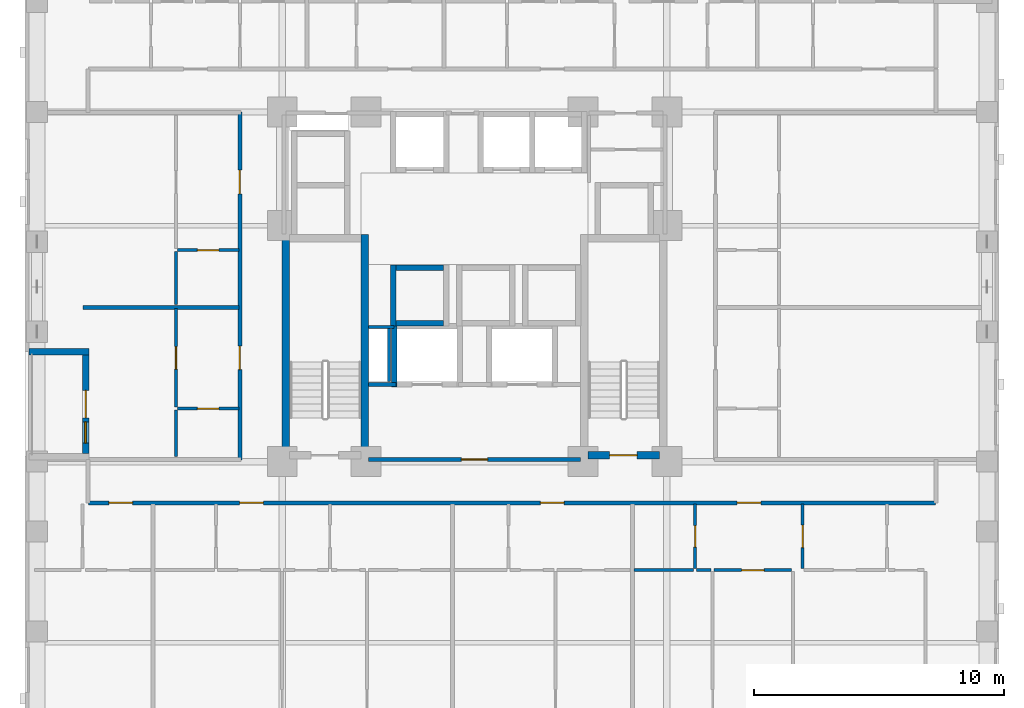
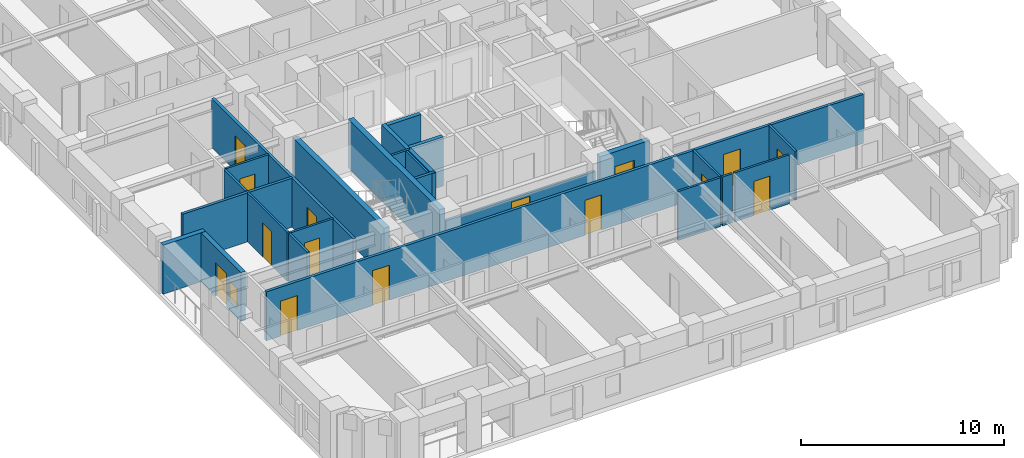
# One storey, part 4 of 14: 26 walls, 15 doors, 1 window, 16 openings.
"""IFC4 building model written with IfcOpenShell, lengths in metres."""

from ifc_helpers import new_model, si_unit, derived_unit, direction, frame, frame_2d, origin, place, context, subcontext, project, spatial, rectangle, extrude, material, layer, layer_set, type_object, element, fill, save


model = new_model("IFC4")

# Units and contexts
model_context = context("Model", 3, precision=1e-05, world=origin(), true_north=direction((0.0, 1.0)))
body_context = subcontext(model_context, "Body", "Model", "MODEL_VIEW")
ifc_project = project(units=[si_unit("LENGTHUNIT", "METRE"), si_unit("AREAUNIT", "SQUARE_METRE"), si_unit("VOLUMEUNIT", "CUBIC_METRE"), si_unit("PLANEANGLEUNIT", "RADIAN"), si_unit("MASSUNIT", "GRAM", prefix="KILO"), derived_unit("THERMALTRANSMITTANCEUNIT", [(si_unit("MASSUNIT", "GRAM", prefix="KILO"), 1), (si_unit("TIMEUNIT", "SECOND"), -3), (si_unit("THERMODYNAMICTEMPERATUREUNIT", "KELVIN"), -1)])], contexts=[model_context])

# Site, building, storey
site_placement = place(None, origin())
site = spatial("IfcSite", under=ifc_project, at=site_placement, CompositionType="ELEMENT")
building_placement = place(site_placement, origin())
building = spatial("IfcBuilding", under=site, at=building_placement, Name="Korrvale Station Residences", CompositionType="ELEMENT")
storey_placement = place(building_placement, frame((0.0, 0.0, 57.800048828125)))
storey = spatial("IfcBuildingStorey", under=building, at=storey_placement, Name="L15", CompositionType="ELEMENT", Elevation=57.800048828125)

# Walls
ifc_material_1 = material(Name="Concrete C70/85", Category="concrete")
ifc_layer_1 = layer(ifc_material_1, 0.300048828125, Name="Concrete C70/85")
ifc_layer_set_1 = layer_set([ifc_layer_1], Name="Concrete C70/85")
wall_type_1 = type_object("IfcWallType", Name="WAL-CORE-300-C70", PredefinedType="SHEAR", material=ifc_layer_set_1)
for number, where, z_axis, x_axis, name in (
    (1, (17.949951171875, 15.10009765625, 0.0), (0.0, 0.0, 1.0), (0.0, 1.0, 0.0), "L15 ST-1 Core Shear Wall West"),
    (2, (21.10009765625, 15.10009765625, 0.0), (0.0, 0.0, 1.0), (0.0, 1.0, 0.0), "L15 ST-1 Core Shear Wall East"),
):
    element("IfcWall", number, at=place(storey_placement, frame(where, z_axis=z_axis, x_axis=x_axis)), inside=storey, type_object=wall_type_1, Name=name, PredefinedType="SHEAR", context=body_context, shape_type="SweptSolid", body=[
        extrude(rectangle(XDim=9.0, YDim=0.300048828125, at=frame_2d((4.5, 0.0))), origin(), (0.0, 0.0, 1.0), 2.93994140625),
    ])

# Wall, opening, door
wall_1_placement = place(storey_placement, frame((30.050048828125, 15.25, 0.0), z_axis=(0.0, 0.0, 1.0), x_axis=(1.0, 0.0, 0.0)))
wall_1 = element("IfcWall", 3, at=wall_1_placement, inside=storey, type_object=wall_type_1, Name="L15 ST-2 Core Shear Wall South", PredefinedType="SHEAR", context=body_context, shape_type="SweptSolid", body=[
    extrude(rectangle(XDim=2.849853515625, YDim=0.300048828125, at=frame_2d((1.4248046875, 0.0))), origin(), (0.0, 0.0, 1.0), 2.93994140625),
])
opening_1_placement = place(wall_1_placement, frame((0.860107421875, 0.0, 0.0)))
opening_1 = element("IfcOpeningElement", 4, at=opening_1_placement, cuts=wall_1, Name="Opening SD-1100", PredefinedType="OPENING", context=body_context, shape_type="SweptSolid", body=[
    extrude(rectangle(XDim=1.10009765625, YDim=2.050048828125, at=frame_2d((0.550048828125, 1.02490234375))), frame((0.0, 0.16015625, 0.0), z_axis=(0.0, -1.0, 0.0), x_axis=(1.0, 0.0, 0.0)), (0.0, 0.0, 1.0), 0.320068359375),
])
ifc_material_2 = material(Name="Hollow-metal fire-rated stair door with closer", Category="steel")
door_type_1 = type_object("IfcDoorType", Name="DR-STAIR-1100", OperationType="NOTDEFINED", PredefinedType="DOOR", material=ifc_material_2)
door_1_placement = place(opening_1_placement, origin())
door_1 = element("IfcDoor", 5, at=door_1_placement, inside=storey, type_object=door_type_1, Name="L15 ST-2 Exit Stair Door", OperationType="SINGLE_SWING_RIGHT", OverallHeight=2.050048828125, OverallWidth=1.10009765625, PredefinedType="DOOR", context=body_context, shape_type="SweptSolid", body=[
    extrude(rectangle(XDim=1.10009765625, YDim=2.050048828125, at=frame_2d((0.550048828125, 1.02490234375))), frame((0.0, 0.02490234375, 0.0), z_axis=(0.0, -1.0, 0.0), x_axis=(1.0, 0.0, 0.0)), (0.0, 0.0, 1.0), 0.050048828125),
])
fill(opening_1, door_1)

# Wall, openings, door, window
ifc_material_3 = material(Name="Precast concrete C45/55", Category="concrete")
ifc_layer_2 = layer(ifc_material_3, 0.260009765625, Name="Precast concrete C45/55")
ifc_layer_set_2 = layer_set([ifc_layer_2], Name="Precast concrete C45/55")
wall_type_2 = type_object("IfcWallType", Name="WAL-EXT-LOG260", PredefinedType="SOLIDWALL", material=ifc_layer_set_2)
wall_2_placement = place(storey_placement, frame((9.929931640625, 15.333984375, 0.0), z_axis=(0.0, 0.0, 1.0), x_axis=(0.0, 1.0, 0.0)))
wall_2 = element("IfcWall", 6, at=wall_2_placement, inside=storey, type_object=wall_type_2, Name="L15 Recessed Loggia Wall BAL-L15-W1-B", PredefinedType="SOLIDWALL", context=body_context, shape_type="SweptSolid", body=[
    extrude(rectangle(XDim=3.93212890625, YDim=0.260009765625, at=frame_2d((1.966064453125, 0.0))), origin(), (0.0, 0.0, 1.0), 2.93994140625),
])
opening_2_placement = place(wall_2_placement, frame((1.416015625, 0.0, 0.0)))
opening_2 = element("IfcOpeningElement", 7, at=opening_2_placement, cuts=wall_2, Name="Opening BD-01", PredefinedType="OPENING", context=body_context, shape_type="SweptSolid", body=[
    extrude(rectangle(XDim=1.10009765625, YDim=2.0, at=frame_2d((0.550048828125, 1.0))), frame((0.0, 0.14013671875, 0.0), z_axis=(0.0, -1.0, 0.0), x_axis=(1.0, 0.0, 0.0)), (0.0, 0.0, 1.0), 0.280029296875),
])
opening_3_placement = place(wall_2_placement, frame((0.406005859375, 0.0, 0.550048828125)))
opening_3 = element("IfcOpeningElement", 8, at=opening_3_placement, cuts=wall_2, Name="Opening W-11", PredefinedType="OPENING", context=body_context, shape_type="SweptSolid", body=[
    extrude(rectangle(XDim=0.85009765625, YDim=1.199951171875, at=frame_2d((0.425048828125, 0.60009765625))), frame((0.0, 0.14013671875, 0.0), z_axis=(0.0, -1.0, 0.0), x_axis=(1.0, 0.0, 0.0)), (0.0, 0.0, 1.0), 0.280029296875),
])
ifc_material_4 = material(Name="Exterior thermally broken aluminium glazed balcony door", Category="aluminium")
door_type_2 = type_object("IfcDoorType", Name="DR-EXT-BAL", OperationType="NOTDEFINED", PredefinedType="DOOR", material=ifc_material_4)
door_2_placement = place(opening_2_placement, origin())
door_2 = element("IfcDoor", 9, at=door_2_placement, inside=storey, type_object=door_type_2, Name="L15 Loggia Balcony Door BAL-L15-W1", OperationType="SINGLE_SWING_LEFT", OverallHeight=2.0, OverallWidth=1.10009765625, PredefinedType="DOOR", context=body_context, shape_type="SweptSolid", body=[
    extrude(rectangle(XDim=1.10009765625, YDim=2.0, at=frame_2d((0.550048828125, 1.0))), frame((0.0, 0.02490234375, 0.0), z_axis=(0.0, -1.0, 0.0), x_axis=(1.0, 0.0, 0.0)), (0.0, 0.0, 1.0), 0.050048828125),
])
fill(opening_2, door_2)
ifc_material_5 = material(Name="Thermally broken aluminium frame with triple low-e glazing", Category="aluminium")
window_type = type_object("IfcWindowType", Name="WIN-W11", PartitioningType="SINGLE_PANEL", PredefinedType="WINDOW", material=ifc_material_5)
window_placement = place(opening_3_placement, origin())
window = element("IfcWindow", 10, at=window_placement, inside=storey, type_object=window_type, Name="L15 Punched Window 24", OverallHeight=1.199951171875, OverallWidth=0.85009765625, PartitioningType="SINGLE_PANEL", PredefinedType="WINDOW", context=body_context, shape_type="SweptSolid", body=[
    extrude(rectangle(XDim=0.85009765625, YDim=1.199951171875, at=frame_2d((0.425048828125, 0.60009765625))), frame((0.0, 0.030029296875, 0.0), z_axis=(0.0, -1.0, 0.0), x_axis=(1.0, 0.0, 0.0)), (0.0, 0.0, 1.0), 0.06005859375),
])
fill(opening_3, window)

# Walls
wall_3_placement = place(storey_placement, frame((10.06005859375, 19.39990234375, 0.0), z_axis=(0.0, 0.0, 1.0), x_axis=(-1.0, 0.0, 0.0)))
element("IfcWall", 11, at=wall_3_placement, inside=storey, type_object=wall_type_2, Name="L15 Recessed Loggia Wall BAL-L15-W1-R", PredefinedType="SOLIDWALL", context=body_context, shape_type="SweptSolid", body=[
    extrude(rectangle(XDim=2.400146484375, YDim=0.260009765625, at=frame_2d((1.2001953125, 0.0))), origin(), (0.0, 0.0, 1.0), 2.93994140625),
])
ifc_material_6 = material(Name="Acoustic steel-stud gypsum board partition", Category="steel")
ifc_layer_3 = layer(ifc_material_6, 0.1201171875, Name="Acoustic steel-stud gypsum board partition")
ifc_layer_set_3 = layer_set([ifc_layer_3], Name="Acoustic steel-stud gypsum board partition")
wall_type_3 = type_object("IfcWallType", Name="WAL-PART-125", PredefinedType="PARTITIONING", material=ifc_layer_set_3)
wall_4_placement = place(storey_placement, frame((22.080078125, 18.199951171875, 0.0), z_axis=(0.0, 0.0, 1.0), x_axis=(0.0, 1.0, 0.0)))
element("IfcWall", 12, at=wall_4_placement, inside=storey, type_object=wall_type_3, Name="L15 Core Partition CW-RSWT", PredefinedType="PARTITIONING", context=body_context, shape_type="SweptSolid", body=[
    extrude(rectangle(XDim=2.1201171875, YDim=0.1201171875, at=frame_2d((1.06005859375, 0.0))), origin(), (0.0, 0.0, 1.0), 2.93994140625),
])
wall_5_placement = place(storey_placement, frame((22.280029296875, 20.3798828125, 0.0), z_axis=(0.0, 0.0, 1.0), x_axis=(-1.0, 0.0, 0.0)))
element("IfcWall", 13, at=wall_5_placement, inside=storey, type_object=wall_type_3, Name="L15 Core Partition CW-RSWT-N", PredefinedType="PARTITIONING", context=body_context, shape_type="SweptSolid", body=[
    extrude(rectangle(XDim=1.02001953125, YDim=0.1201171875, at=frame_2d((0.510009765625, 0.0))), origin(), (0.0, 0.0, 1.0), 2.93994140625),
])

# Wall, opening, door
wall_6_placement = place(storey_placement, frame((34.3369140625, 10.7099609375, 0.0), z_axis=(0.0, 0.0, 1.0), x_axis=(0.0, 1.0, 0.0)))
wall_6 = element("IfcWall", 14, at=wall_6_placement, inside=storey, type_object=wall_type_3, Name="L15 Suite Partition U04-V01", PredefinedType="PARTITIONING", context=body_context, shape_type="SweptSolid", body=[
    extrude(rectangle(XDim=2.60009765625, YDim=0.1201171875, at=frame_2d((1.300048828125, 0.0))), origin(), (0.0, 0.0, 1.0), 2.93994140625),
])
opening_4_placement = place(wall_6_placement, frame((0.8701171875, 0.0, 0.0)))
opening_4 = element("IfcOpeningElement", 15, at=opening_4_placement, cuts=wall_6, Name="Opening DB-860", PredefinedType="OPENING", context=body_context, shape_type="SweptSolid", body=[
    extrude(rectangle(XDim=0.860107421875, YDim=2.050048828125, at=frame_2d((0.43017578125, 1.02490234375))), frame((0.0, 0.070068359375, 0.0), z_axis=(0.0, -1.0, 0.0), x_axis=(1.0, 0.0, 0.0)), (0.0, 0.0, 1.0), 0.14013671875),
])
ifc_material_7 = material(Name="Moisture-resistant solid-core bathroom door", Category="timber")
door_type_3 = type_object("IfcDoorType", Name="DR-BATH-860", OperationType="NOTDEFINED", PredefinedType="DOOR", material=ifc_material_7)
door_3_placement = place(opening_4_placement, origin())
door_3 = element("IfcDoor", 16, at=door_3_placement, inside=storey, type_object=door_type_3, Name="L15 Studio Apartment L15-U04 Bathroom Door", OperationType="SINGLE_SWING_RIGHT", OverallHeight=2.050048828125, OverallWidth=0.860107421875, PredefinedType="DOOR", context=body_context, shape_type="SweptSolid", body=[
    extrude(rectangle(XDim=0.860107421875, YDim=2.050048828125, at=frame_2d((0.43017578125, 1.02490234375))), frame((0.0, 0.02490234375, 0.0), z_axis=(0.0, -1.0, 0.0), x_axis=(1.0, 0.0, 0.0)), (0.0, 0.0, 1.0), 0.050048828125),
])
fill(opening_4, door_3)

# Wall
wall_7_placement = place(storey_placement, frame((31.876953125, 10.64990234375, 0.0), z_axis=(0.0, 0.0, 1.0), x_axis=(1.0, 0.0, 0.0)))
element("IfcWall", 17, at=wall_7_placement, inside=storey, type_object=wall_type_3, Name="L15 Suite Partition U04-H04", PredefinedType="PARTITIONING", context=body_context, shape_type="SweptSolid", body=[
    extrude(rectangle(XDim=2.400146484375, YDim=0.1201171875, at=frame_2d((1.2001953125, 0.0))), origin(), (0.0, 0.0, 1.0), 2.93994140625),
])

# Wall, opening, door
wall_8_placement = place(storey_placement, frame((38.636962890625, 10.7099609375, 0.0), z_axis=(0.0, 0.0, 1.0), x_axis=(0.0, 1.0, 0.0)))
wall_8 = element("IfcWall", 18, at=wall_8_placement, inside=storey, type_object=wall_type_3, Name="L15 Suite Partition U04-V12", PredefinedType="PARTITIONING", context=body_context, shape_type="SweptSolid", body=[
    extrude(rectangle(XDim=2.60009765625, YDim=0.1201171875, at=frame_2d((1.300048828125, 0.0))), origin(), (0.0, 0.0, 1.0), 2.93994140625),
])
opening_5_placement = place(wall_8_placement, frame((0.85009765625, 0.0, 0.0)))
opening_5 = element("IfcOpeningElement", 19, at=opening_5_placement, cuts=wall_8, Name="Opening DI-900", PredefinedType="OPENING", context=body_context, shape_type="SweptSolid", body=[
    extrude(rectangle(XDim=0.89990234375, YDim=2.050048828125, at=frame_2d((0.449951171875, 1.02490234375))), frame((0.0, 0.070068359375, 0.0), z_axis=(0.0, -1.0, 0.0), x_axis=(1.0, 0.0, 0.0)), (0.0, 0.0, 1.0), 0.14013671875),
])
ifc_material_8 = material(Name="Painted solid-core timber interior room door", Category="wood")
door_type_4 = type_object("IfcDoorType", Name="DR-INT-900", OperationType="NOTDEFINED", PredefinedType="DOOR", material=ifc_material_8)
door_4_placement = place(opening_5_placement, origin())
door_4 = element("IfcDoor", 20, at=door_4_placement, inside=storey, type_object=door_type_4, Name="L15 Studio Apartment L15-U04 Kitchen Door", OperationType="SINGLE_SWING_LEFT", OverallHeight=2.050048828125, OverallWidth=0.89990234375, PredefinedType="DOOR", context=body_context, shape_type="SweptSolid", body=[
    extrude(rectangle(XDim=0.89990234375, YDim=2.050048828125, at=frame_2d((0.449951171875, 1.02490234375))), frame((0.0, 0.02490234375, 0.0), z_axis=(0.0, -1.0, 0.0), x_axis=(1.0, 0.0, 0.0)), (0.0, 0.0, 1.0), 0.050048828125),
])
fill(opening_5, door_4)

# Wall
wall_9_placement = place(storey_placement, frame((34.39697265625, 10.64990234375, 0.0), z_axis=(0.0, 0.0, 1.0), x_axis=(1.0, 0.0, 0.0)))
element("IfcWall", 21, at=wall_9_placement, inside=storey, type_object=wall_type_3, Name="L15 Suite Partition U04-H14", PredefinedType="PARTITIONING", context=body_context, shape_type="SweptSolid", body=[
    extrude(rectangle(XDim=0.580078125, YDim=0.1201171875, at=frame_2d((0.2900390625, 0.0))), origin(), (0.0, 0.0, 1.0), 2.93994140625),
])

# Wall, opening, door
wall_10_placement = place(storey_placement, frame((35.096923828125, 10.64990234375, 0.0), z_axis=(0.0, 0.0, 1.0), x_axis=(1.0, 0.0, 0.0)))
wall_10 = element("IfcWall", 22, at=wall_10_placement, inside=storey, type_object=wall_type_3, Name="L15 Suite Partition U04-H15", PredefinedType="PARTITIONING", context=body_context, shape_type="SweptSolid", body=[
    extrude(rectangle(XDim=3.10009765625, YDim=0.1201171875, at=frame_2d((1.550048828125, 0.0))), origin(), (0.0, 0.0, 1.0), 2.93994140625),
])
opening_6_placement = place(wall_10_placement, frame((1.10009765625, 0.0, 0.0)))
opening_6 = element("IfcOpeningElement", 23, at=opening_6_placement, cuts=wall_10, Name="Opening DI-900", PredefinedType="OPENING", context=body_context, shape_type="SweptSolid", body=[
    extrude(rectangle(XDim=0.89990234375, YDim=2.050048828125, at=frame_2d((0.449951171875, 1.02490234375))), frame((0.0, 0.070068359375, 0.0), z_axis=(0.0, -1.0, 0.0), x_axis=(1.0, 0.0, 0.0)), (0.0, 0.0, 1.0), 0.14013671875),
])
door_5_placement = place(opening_6_placement, origin())
door_5 = element("IfcDoor", 24, at=door_5_placement, inside=storey, type_object=door_type_4, Name="L15 Studio Apartment L15-U04 Kitchen Door", OperationType="SINGLE_SWING_RIGHT", OverallHeight=2.050048828125, OverallWidth=0.89990234375, PredefinedType="DOOR", context=body_context, shape_type="SweptSolid", body=[
    extrude(rectangle(XDim=0.89990234375, YDim=2.050048828125, at=frame_2d((0.449951171875, 1.02490234375))), frame((0.0, 0.02490234375, 0.0), z_axis=(0.0, -1.0, 0.0), x_axis=(1.0, 0.0, 0.0)), (0.0, 0.0, 1.0), 0.050048828125),
])
fill(opening_6, door_5)

wall_11_placement = place(storey_placement, frame((13.610107421875, 17.1201171875, 0.0), z_axis=(0.0, 0.0, 1.0), x_axis=(1.0, 0.0, 0.0)))
wall_11 = element("IfcWall", 25, at=wall_11_placement, inside=storey, type_object=wall_type_3, Name="L15 Suite Partition U09-H01", PredefinedType="PARTITIONING", context=body_context, shape_type="SweptSolid", body=[
    extrude(rectangle(XDim=2.449951171875, YDim=0.1201171875, at=frame_2d((1.22509765625, 0.0))), origin(), (0.0, 0.0, 1.0), 2.93994140625),
])
opening_7_placement = place(wall_11_placement, frame((0.794921875, 0.0, 0.0)))
opening_7 = element("IfcOpeningElement", 26, at=opening_7_placement, cuts=wall_11, Name="Opening DB-860", PredefinedType="OPENING", context=body_context, shape_type="SweptSolid", body=[
    extrude(rectangle(XDim=0.860107421875, YDim=2.050048828125, at=frame_2d((0.43017578125, 1.02490234375))), frame((0.0, 0.070068359375, 0.0), z_axis=(0.0, -1.0, 0.0), x_axis=(1.0, 0.0, 0.0)), (0.0, 0.0, 1.0), 0.14013671875),
])
door_6_placement = place(opening_7_placement, origin())
door_6 = element("IfcDoor", 27, at=door_6_placement, inside=storey, type_object=door_type_3, Name="L15 Apartment 1BR L15-U09 Bathroom Door", OperationType="SINGLE_SWING_LEFT", OverallHeight=2.050048828125, OverallWidth=0.860107421875, PredefinedType="DOOR", context=body_context, shape_type="SweptSolid", body=[
    extrude(rectangle(XDim=0.860107421875, YDim=2.050048828125, at=frame_2d((0.43017578125, 1.02490234375))), frame((0.0, 0.02490234375, 0.0), z_axis=(0.0, -1.0, 0.0), x_axis=(1.0, 0.0, 0.0)), (0.0, 0.0, 1.0), 0.050048828125),
])
fill(opening_7, door_6)

# Wall
wall_12_placement = place(storey_placement, frame((13.550048828125, 15.2099609375, 0.0), z_axis=(0.0, 0.0, 1.0), x_axis=(0.0, 1.0, 0.0)))
element("IfcWall", 28, at=wall_12_placement, inside=storey, type_object=wall_type_3, Name="L15 Suite Partition U09-V02", PredefinedType="PARTITIONING", context=body_context, shape_type="SweptSolid", body=[
    extrude(rectangle(XDim=1.85009765625, YDim=0.1201171875, at=frame_2d((0.925048828125, 0.0))), origin(), (0.0, 0.0, 1.0), 2.93994140625),
])

# Wall, opening, door
wall_13_placement = place(storey_placement, frame((13.550048828125, 17.179931640625, 0.0), z_axis=(0.0, 0.0, 1.0), x_axis=(0.0, 1.0, 0.0)))
wall_13 = element("IfcWall", 29, at=wall_13_placement, inside=storey, type_object=wall_type_3, Name="L15 Suite Partition U09-V12", PredefinedType="PARTITIONING", context=body_context, shape_type="SweptSolid", body=[
    extrude(rectangle(XDim=3.946044921875, YDim=0.1201171875, at=frame_2d((1.97314453125, 0.0))), origin(), (0.0, 0.0, 1.0), 2.93994140625),
])
opening_8_placement = place(wall_13_placement, frame((1.52294921875, 0.0, 0.0)))
opening_8 = element("IfcOpeningElement", 30, at=opening_8_placement, cuts=wall_13, Name="Opening DI-900", PredefinedType="OPENING", context=body_context, shape_type="SweptSolid", body=[
    extrude(rectangle(XDim=0.89990234375, YDim=2.050048828125, at=frame_2d((0.449951171875, 1.02490234375))), frame((0.0, 0.070068359375, 0.0), z_axis=(0.0, -1.0, 0.0), x_axis=(1.0, 0.0, 0.0)), (0.0, 0.0, 1.0), 0.14013671875),
])
door_7_placement = place(opening_8_placement, origin())
door_7 = element("IfcDoor", 31, at=door_7_placement, inside=storey, type_object=door_type_4, Name="L15 Apartment 1BR L15-U09 Kitchen Door", OperationType="SINGLE_SWING_RIGHT", OverallHeight=2.050048828125, OverallWidth=0.89990234375, PredefinedType="DOOR", context=body_context, shape_type="SweptSolid", body=[
    extrude(rectangle(XDim=0.89990234375, YDim=2.050048828125, at=frame_2d((0.449951171875, 1.02490234375))), frame((0.0, 0.02490234375, 0.0), z_axis=(0.0, -1.0, 0.0), x_axis=(1.0, 0.0, 0.0)), (0.0, 0.0, 1.0), 0.050048828125),
])
fill(opening_8, door_7)

wall_14_placement = place(storey_placement, frame((13.610107421875, 23.467041015625, 0.0), z_axis=(0.0, 0.0, 1.0), x_axis=(1.0, 0.0, 0.0)))
wall_14 = element("IfcWall", 32, at=wall_14_placement, inside=storey, type_object=wall_type_3, Name="L15 Suite Partition U10-H01", PredefinedType="PARTITIONING", context=body_context, shape_type="SweptSolid", body=[
    extrude(rectangle(XDim=2.449951171875, YDim=0.1201171875, at=frame_2d((1.22509765625, 0.0))), origin(), (0.0, 0.0, 1.0), 2.93994140625),
])
opening_9_placement = place(wall_14_placement, frame((0.794921875, 0.0, 0.0)))
opening_9 = element("IfcOpeningElement", 33, at=opening_9_placement, cuts=wall_14, Name="Opening DB-860", PredefinedType="OPENING", context=body_context, shape_type="SweptSolid", body=[
    extrude(rectangle(XDim=0.860107421875, YDim=2.050048828125, at=frame_2d((0.43017578125, 1.02490234375))), frame((0.0, 0.070068359375, 0.0), z_axis=(0.0, -1.0, 0.0), x_axis=(1.0, 0.0, 0.0)), (0.0, 0.0, 1.0), 0.14013671875),
])
door_8_placement = place(opening_9_placement, origin())
door_8 = element("IfcDoor", 34, at=door_8_placement, inside=storey, type_object=door_type_3, Name="L15 Apartment 1BR L15-U10 Bathroom Door", OperationType="SINGLE_SWING_LEFT", OverallHeight=2.050048828125, OverallWidth=0.860107421875, PredefinedType="DOOR", context=body_context, shape_type="SweptSolid", body=[
    extrude(rectangle(XDim=0.860107421875, YDim=2.050048828125, at=frame_2d((0.43017578125, 1.02490234375))), frame((0.0, 0.02490234375, 0.0), z_axis=(0.0, -1.0, 0.0), x_axis=(1.0, 0.0, 0.0)), (0.0, 0.0, 1.0), 0.050048828125),
])
fill(opening_9, door_8)

# Wall
wall_15_placement = place(storey_placement, frame((13.550048828125, 21.285888671875, 0.0), z_axis=(0.0, 0.0, 1.0), x_axis=(0.0, 1.0, 0.0)))
element("IfcWall", 35, at=wall_15_placement, inside=storey, type_object=wall_type_3, Name="L15 Suite Partition U10-V02", PredefinedType="PARTITIONING", context=body_context, shape_type="SweptSolid", body=[
    extrude(rectangle(XDim=2.12109375, YDim=0.1201171875, at=frame_2d((1.060546875, 0.0))), origin(), (0.0, 0.0, 1.0), 2.93994140625),
])

# Wall, opening, door
ifc_material_9 = material(Name="Fire-rated twin-stud gypsum and mineral wool shaftwall assembly", Category="gypsum")
ifc_layer_4 = layer(ifc_material_9, 0.159912109375, Name="Fire-rated twin-stud gypsum and mineral wool shaftwall assembly")
ifc_layer_set_4 = layer_set([ifc_layer_4], Name="Fire-rated twin-stud gypsum and mineral wool shaftwall assembly")
wall_type_4 = type_object("IfcWallType", Name="WAL-PART-200", PredefinedType="PARTITIONING", material=ifc_layer_set_4)
wall_16_placement = place(storey_placement, frame((21.25, 15.080078125, 0.0), z_axis=(0.0, 0.0, 1.0), x_axis=(1.0, 0.0, 0.0)))
wall_16 = element("IfcWall", 36, at=wall_16_placement, inside=storey, type_object=wall_type_4, Name="L15 Core Partition CW-FFL-S", PredefinedType="PARTITIONING", context=body_context, shape_type="SweptSolid", body=[
    extrude(rectangle(XDim=8.5, YDim=0.159912109375, at=frame_2d((4.25, 0.0))), origin(), (0.0, 0.0, 1.0), 2.23193359375),
])
opening_10_placement = place(wall_16_placement, frame((3.72509765625, 0.0, 0.0)))
opening_10 = element("IfcOpeningElement", 37, at=opening_10_placement, cuts=wall_16, Name="Opening FD-1050", PredefinedType="OPENING", context=body_context, shape_type="SweptSolid", body=[
    extrude(rectangle(XDim=1.050048828125, YDim=2.050048828125, at=frame_2d((0.52490234375, 1.02490234375))), frame((0.0, 0.08984375, 0.0), z_axis=(0.0, -1.0, 0.0), x_axis=(1.0, 0.0, 0.0)), (0.0, 0.0, 1.0), 0.179931640625),
])
ifc_material_10 = material(Name="Fire-rated mineral-core timber lobby door", Category="wood")
door_type_5 = type_object("IfcDoorType", Name="DR-CORE-1050", OperationType="NOTDEFINED", PredefinedType="DOOR", material=ifc_material_10)
door_9_placement = place(opening_10_placement, origin())
door_9 = element("IfcDoor", 38, at=door_9_placement, inside=storey, type_object=door_type_5, Name="L15 Firefighting Lobby Entry Door", OperationType="SINGLE_SWING_LEFT", OverallHeight=2.050048828125, OverallWidth=1.050048828125, PredefinedType="DOOR", context=body_context, shape_type="SweptSolid", body=[
    extrude(rectangle(XDim=1.050048828125, YDim=2.050048828125, at=frame_2d((0.52490234375, 1.02490234375))), frame((0.0, 0.02490234375, 0.0), z_axis=(0.0, -1.0, 0.0), x_axis=(1.0, 0.0, 0.0)), (0.0, 0.0, 1.0), 0.050048828125),
])
fill(opening_10, door_9)

# Walls
wall_17_placement = place(storey_placement, frame((21.25, 18.080078125, 0.0), z_axis=(0.0, 0.0, 1.0), x_axis=(1.0, 0.0, 0.0)))
element("IfcWall", 39, at=wall_17_placement, inside=storey, type_object=wall_type_4, Name="L15 Core Partition CW-FFL-N1", PredefinedType="PARTITIONING", context=body_context, shape_type="SweptSolid", body=[
    extrude(rectangle(XDim=1.10009765625, YDim=0.159912109375, at=frame_2d((0.550048828125, 0.0))), origin(), (0.0, 0.0, 1.0), 2.93994140625),
])
wall_18_placement = place(storey_placement, frame((9.820068359375, 21.166015625, 0.0), z_axis=(0.0, 0.0, 1.0), x_axis=(1.0, 0.0, 0.0)))
element("IfcWall", 40, at=wall_18_placement, inside=storey, type_object=wall_type_4, Name="L15 Demising Wall U09-N", PredefinedType="PARTITIONING", context=body_context, shape_type="SweptSolid", body=[
    extrude(rectangle(XDim=6.239990234375, YDim=0.159912109375, at=frame_2d((3.1201171875, 0.0))), origin(), (0.0, 0.0, 1.0), 2.93994140625),
])

# Wall, openings, doors
wall_19_placement = place(storey_placement, frame((10.050048828125, 13.35009765625, 0.0), z_axis=(0.0, 0.0, 1.0), x_axis=(1.0, 0.0, 0.0)))
wall_19 = element("IfcWall", 41, at=wall_19_placement, inside=storey, type_object=wall_type_4, Name="L15 Rated Corridor Wall S", PredefinedType="PARTITIONING", context=body_context, shape_type="SweptSolid", body=[
    extrude(rectangle(XDim=33.89990234375, YDim=0.159912109375, at=frame_2d((16.949951171875, 0.0))), origin(), (0.0, 0.0, 1.0), 2.93994140625),
])
opening_11_placement = place(wall_19_placement, frame((0.81298828125, 0.0, 0.0)))
opening_11 = element("IfcOpeningElement", 42, at=opening_11_placement, cuts=wall_19, Name="Opening UD-950", PredefinedType="OPENING", context=body_context, shape_type="SweptSolid", body=[
    extrude(rectangle(XDim=0.949951171875, YDim=2.10009765625, at=frame_2d((0.47509765625, 1.050048828125))), frame((0.0, 0.08984375, 0.0), z_axis=(0.0, -1.0, 0.0), x_axis=(1.0, 0.0, 0.0)), (0.0, 0.0, 1.0), 0.179931640625),
])
opening_12_placement = place(wall_19_placement, frame((6.0400390625, 0.0, 0.0)))
opening_12 = element("IfcOpeningElement", 43, at=opening_12_placement, cuts=wall_19, Name="Opening UD-950", PredefinedType="OPENING", context=body_context, shape_type="SweptSolid", body=[
    extrude(rectangle(XDim=0.949951171875, YDim=2.10009765625, at=frame_2d((0.47509765625, 1.050048828125))), frame((0.0, 0.08984375, 0.0), z_axis=(0.0, -1.0, 0.0), x_axis=(1.0, 0.0, 0.0)), (0.0, 0.0, 1.0), 0.179931640625),
])
opening_13_placement = place(wall_19_placement, frame((18.090087890625, 0.0, 0.0)))
opening_13 = element("IfcOpeningElement", 44, at=opening_13_placement, cuts=wall_19, Name="Opening UD-950", PredefinedType="OPENING", context=body_context, shape_type="SweptSolid", body=[
    extrude(rectangle(XDim=0.949951171875, YDim=2.10009765625, at=frame_2d((0.47509765625, 1.050048828125))), frame((0.0, 0.08984375, 0.0), z_axis=(0.0, -1.0, 0.0), x_axis=(1.0, 0.0, 0.0)), (0.0, 0.0, 1.0), 0.179931640625),
])
opening_14_placement = place(wall_19_placement, frame((25.9619140625, 0.0, 0.0)))
opening_14 = element("IfcOpeningElement", 45, at=opening_14_placement, cuts=wall_19, Name="Opening UD-950", PredefinedType="OPENING", context=body_context, shape_type="SweptSolid", body=[
    extrude(rectangle(XDim=0.949951171875, YDim=2.10009765625, at=frame_2d((0.47509765625, 1.050048828125))), frame((0.0, 0.08984375, 0.0), z_axis=(0.0, -1.0, 0.0), x_axis=(1.0, 0.0, 0.0)), (0.0, 0.0, 1.0), 0.179931640625),
])
ifc_material_11 = material(Name="Solid-core acoustic oak apartment entrance door", Category="timber")
door_type_6 = type_object("IfcDoorType", Name="DR-UNIT-950", OperationType="NOTDEFINED", PredefinedType="DOOR", material=ifc_material_11)
door_10_placement = place(opening_11_placement, origin())
door_10 = element("IfcDoor", 46, at=door_10_placement, inside=storey, type_object=door_type_6, Name="L15 Apartment L15-U01 Entrance Door", OperationType="SINGLE_SWING_LEFT", OverallHeight=2.10009765625, OverallWidth=0.949951171875, PredefinedType="DOOR", context=body_context, shape_type="SweptSolid", body=[
    extrude(rectangle(XDim=0.949951171875, YDim=2.10009765625, at=frame_2d((0.47509765625, 1.050048828125))), frame((0.0, 0.02490234375, 0.0), z_axis=(0.0, -1.0, 0.0), x_axis=(1.0, 0.0, 0.0)), (0.0, 0.0, 1.0), 0.050048828125),
])
fill(opening_11, door_10)
door_11_placement = place(opening_12_placement, origin())
door_11 = element("IfcDoor", 47, at=door_11_placement, inside=storey, type_object=door_type_6, Name="L15 Apartment L15-U02 Entrance Door", OperationType="SINGLE_SWING_RIGHT", OverallHeight=2.10009765625, OverallWidth=0.949951171875, PredefinedType="DOOR", context=body_context, shape_type="SweptSolid", body=[
    extrude(rectangle(XDim=0.949951171875, YDim=2.10009765625, at=frame_2d((0.47509765625, 1.050048828125))), frame((0.0, 0.02490234375, 0.0), z_axis=(0.0, -1.0, 0.0), x_axis=(1.0, 0.0, 0.0)), (0.0, 0.0, 1.0), 0.050048828125),
])
fill(opening_12, door_11)
door_12_placement = place(opening_13_placement, origin())
door_12 = element("IfcDoor", 48, at=door_12_placement, inside=storey, type_object=door_type_6, Name="L15 Apartment L15-U03 Entrance Door", OperationType="SINGLE_SWING_LEFT", OverallHeight=2.10009765625, OverallWidth=0.949951171875, PredefinedType="DOOR", context=body_context, shape_type="SweptSolid", body=[
    extrude(rectangle(XDim=0.949951171875, YDim=2.10009765625, at=frame_2d((0.47509765625, 1.050048828125))), frame((0.0, 0.02490234375, 0.0), z_axis=(0.0, -1.0, 0.0), x_axis=(1.0, 0.0, 0.0)), (0.0, 0.0, 1.0), 0.050048828125),
])
fill(opening_13, door_12)
door_13_placement = place(opening_14_placement, origin())
door_13 = element("IfcDoor", 49, at=door_13_placement, inside=storey, type_object=door_type_6, Name="L15 Apartment L15-U04 Entrance Door", OperationType="SINGLE_SWING_RIGHT", OverallHeight=2.10009765625, OverallWidth=0.949951171875, PredefinedType="DOOR", context=body_context, shape_type="SweptSolid", body=[
    extrude(rectangle(XDim=0.949951171875, YDim=2.10009765625, at=frame_2d((0.47509765625, 1.050048828125))), frame((0.0, 0.02490234375, 0.0), z_axis=(0.0, -1.0, 0.0), x_axis=(1.0, 0.0, 0.0)), (0.0, 0.0, 1.0), 0.050048828125),
])
fill(opening_14, door_13)

wall_20_placement = place(storey_placement, frame((16.10009765625, 15.070068359375, 0.0), z_axis=(0.0, 0.0, 1.0), x_axis=(0.0, 1.0, 0.0)))
wall_20 = element("IfcWall", 50, at=wall_20_placement, inside=storey, type_object=wall_type_4, Name="L15 Rated Corridor Wall W", PredefinedType="PARTITIONING", context=body_context, shape_type="SweptSolid", body=[
    extrude(rectangle(XDim=13.929931640625, YDim=0.159912109375, at=frame_2d((6.96484375, 0.0))), origin(), (0.0, 0.0, 1.0), 2.93994140625),
])
opening_15_placement = place(wall_20_placement, frame((3.60791015625, 0.0, 0.0)))
opening_15 = element("IfcOpeningElement", 51, at=opening_15_placement, cuts=wall_20, Name="Opening UD-950", PredefinedType="OPENING", context=body_context, shape_type="SweptSolid", body=[
    extrude(rectangle(XDim=0.949951171875, YDim=2.10009765625, at=frame_2d((0.47509765625, 1.050048828125))), frame((0.0, 0.08984375, 0.0), z_axis=(0.0, -1.0, 0.0), x_axis=(1.0, 0.0, 0.0)), (0.0, 0.0, 1.0), 0.179931640625),
])
opening_16_placement = place(wall_20_placement, frame((10.64892578125, 0.0, 0.0)))
opening_16 = element("IfcOpeningElement", 52, at=opening_16_placement, cuts=wall_20, Name="Opening UD-950", PredefinedType="OPENING", context=body_context, shape_type="SweptSolid", body=[
    extrude(rectangle(XDim=0.949951171875, YDim=2.10009765625, at=frame_2d((0.47509765625, 1.050048828125))), frame((0.0, 0.08984375, 0.0), z_axis=(0.0, -1.0, 0.0), x_axis=(1.0, 0.0, 0.0)), (0.0, 0.0, 1.0), 0.179931640625),
])
door_14_placement = place(opening_15_placement, origin())
door_14 = element("IfcDoor", 53, at=door_14_placement, inside=storey, type_object=door_type_6, Name="L15 Apartment L15-U09 Entrance Door", OperationType="SINGLE_SWING_LEFT", OverallHeight=2.10009765625, OverallWidth=0.949951171875, PredefinedType="DOOR", context=body_context, shape_type="SweptSolid", body=[
    extrude(rectangle(XDim=0.949951171875, YDim=2.10009765625, at=frame_2d((0.47509765625, 1.050048828125))), frame((0.0, 0.02490234375, 0.0), z_axis=(0.0, -1.0, 0.0), x_axis=(1.0, 0.0, 0.0)), (0.0, 0.0, 1.0), 0.050048828125),
])
fill(opening_15, door_14)
door_15_placement = place(opening_16_placement, origin())
door_15 = element("IfcDoor", 54, at=door_15_placement, inside=storey, type_object=door_type_6, Name="L15 Apartment L15-U10 Entrance Door", OperationType="SINGLE_SWING_RIGHT", OverallHeight=2.10009765625, OverallWidth=0.949951171875, PredefinedType="DOOR", context=body_context, shape_type="SweptSolid", body=[
    extrude(rectangle(XDim=0.949951171875, YDim=2.10009765625, at=frame_2d((0.47509765625, 1.050048828125))), frame((0.0, 0.02490234375, 0.0), z_axis=(0.0, -1.0, 0.0), x_axis=(1.0, 0.0, 0.0)), (0.0, 0.0, 1.0), 0.050048828125),
])
fill(opening_16, door_15)

# Walls
ifc_layer_5 = layer(ifc_material_1, 0.219970703125, Name="Concrete C70/85")
ifc_layer_set_5 = layer_set([ifc_layer_5], Name="Concrete C70/85")
wall_type_5 = type_object("IfcWallType", Name="WAL-SHAFT-220-C70", PredefinedType="SHEAR", material=ifc_layer_set_5)
for number, where, z_axis, x_axis, name in (
    (55, (22.35009765625, 20.5400390625, 0.0), (0.0, 0.0, 1.0), (1.0, 0.0, 0.0), "L15 Elevator PM-1 Hoistway Wall South"),
    (56, (22.35009765625, 22.760009765625, 0.0), (0.0, 0.0, 1.0), (1.0, 0.0, 0.0), "L15 Elevator PM-1 Hoistway Wall North"),
):
    element("IfcWall", number, at=place(storey_placement, frame(where, z_axis=z_axis, x_axis=x_axis)), inside=storey, type_object=wall_type_5, Name=name, PredefinedType="SHEAR", context=body_context, shape_type="SweptSolid", body=[
        extrude(rectangle(XDim=1.89990234375, YDim=0.219970703125, at=frame_2d((0.949951171875, 0.0))), origin(), (0.0, 0.0, 1.0), 2.93994140625),
    ])
wall_21_placement = place(storey_placement, frame((22.239990234375, 20.429931640625, 0.0), z_axis=(0.0, 0.0, 1.0), x_axis=(0.0, 1.0, 0.0)))
element("IfcWall", 57, at=wall_21_placement, inside=storey, type_object=wall_type_5, Name="L15 Elevator PM-1 Hoistway Wall West", PredefinedType="SHEAR", context=body_context, shape_type="SweptSolid", body=[
    extrude(rectangle(XDim=2.440185546875, YDim=0.219970703125, at=frame_2d((1.22021484375, 0.0))), origin(), (0.0, 0.0, 1.0), 2.93994140625),
])
wall_22_placement = place(storey_placement, frame((22.2900390625, 17.97998046875, 0.0), z_axis=(0.0, 0.0, 1.0), x_axis=(0.0, 1.0, 0.0)))
element("IfcWall", 58, at=wall_22_placement, inside=storey, type_object=wall_type_5, Name="L15 Elevator FFL-1 Hoistway Wall West", PredefinedType="SHEAR", context=body_context, shape_type="SweptSolid", body=[
    extrude(rectangle(XDim=2.5400390625, YDim=0.219970703125, at=frame_2d((1.27001953125, 0.0))), origin(), (0.0, 0.0, 1.0), 2.93994140625),
])

save(model, "model.ifc")
